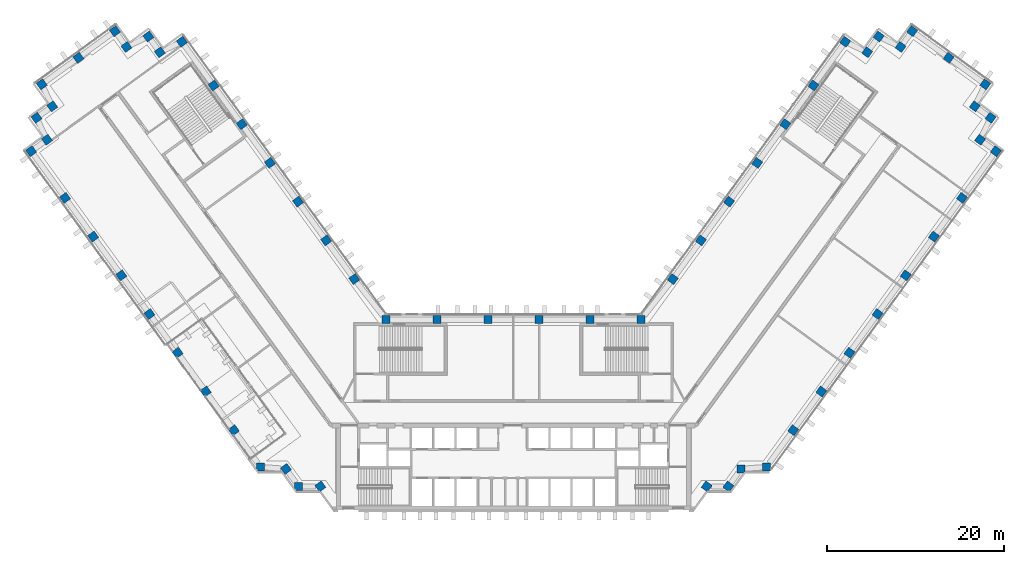
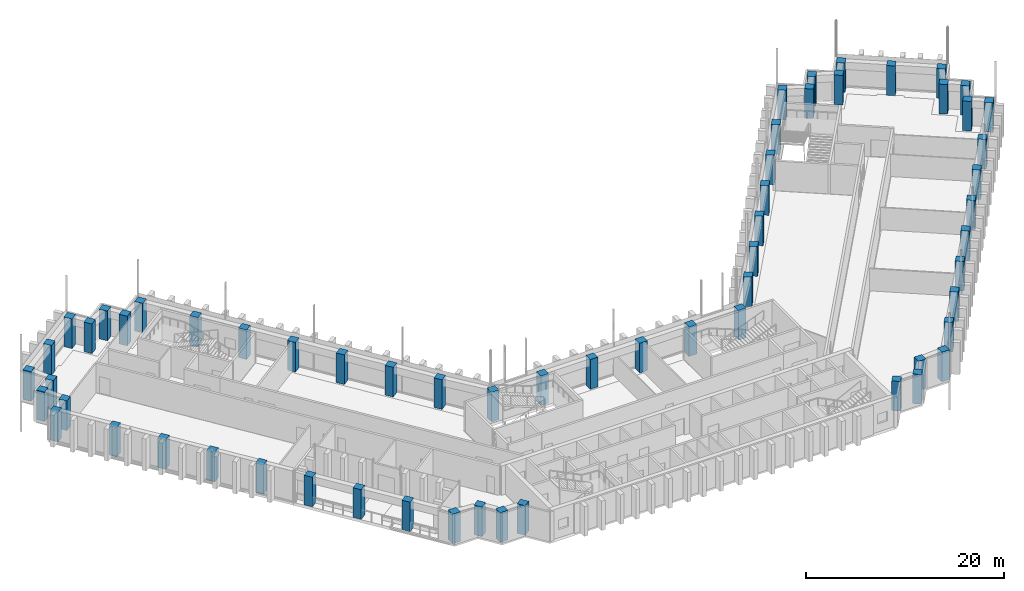
# One storey, part 1 of 18: 62 columns.
"""IFC4 building model written with IfcOpenShell, lengths in metres."""

from ifc_helpers import new_model, si_unit, direction, frame, origin, origin_2d, place, context, subcontext, project, spatial, rectangle, extrude, material, material_profile, profile_set, type_object, element, save


model = new_model("IFC4")

# Units and contexts
model_context = context("Model", 3, precision=1e-05, world=origin(), true_north=direction((0.0, 1.0)))
body_context = subcontext(model_context, "Body", "Model", "MODEL_VIEW")
ifc_project = project(units=[si_unit("LENGTHUNIT", "METRE"), si_unit("AREAUNIT", "SQUARE_METRE"), si_unit("VOLUMEUNIT", "CUBIC_METRE"), si_unit("PLANEANGLEUNIT", "RADIAN"), si_unit("MASSUNIT", "GRAM", prefix="KILO")], contexts=[model_context])

# Site, building, storey
site_placement = place(None, origin())
site = spatial("IfcSite", under=ifc_project, at=site_placement, CompositionType="ELEMENT")
building_placement = place(site_placement, origin())
building = spatial("IfcBuilding", under=site, at=building_placement, Name="Quipu Civic Tower", CompositionType="ELEMENT")
storey_placement = place(building_placement, frame((0.0, 0.0, 59.0)))
storey = spatial("IfcBuildingStorey", under=building, at=storey_placement, Name="L13", CompositionType="ELEMENT", Elevation=59.0)

# Columns
ifc_material = material(Name="Concrete C70/85", Category="concrete")
ifc_material_profile = material_profile(ifc_material, rectangle(XDim=0.89990234375, YDim=0.89990234375, at=origin_2d()), Name="RC900x900")
ifc_profile_set = profile_set([ifc_material_profile], Name="Concrete C70/85")
column_type = type_object("IfcColumnType", Name="Perimeter column RC 900x900 C70/85", PredefinedType="COLUMN", material=ifc_profile_set)
for number, where, z_axis, x_axis, name in (
    (1, (-17.9736328125, 15.074951171875, 0.0), (0.0, 0.0, 1.0), (-0.587785252292, 0.809016994375, 0.0), "Column L13 W-IN-01"),
    (2, (-21.1474609375, 19.44384765625, 0.0), (0.0, 0.0, 1.0), (-0.587785252292, 0.809016994375, 0.0), "Column L13 W-IN-02"),
    (3, (-24.3212890625, 23.8125, 0.0), (0.0, 0.0, 1.0), (-0.587785252292, 0.809016994375, 0.0), "Column L13 W-IN-03"),
    (4, (-27.4951171875, 28.181396484375, 0.0), (0.0, 0.0, 1.0), (-0.587785252292, 0.809016994375, 0.0), "Column L13 W-IN-04"),
    (5, (-30.6689453125, 32.55029296875, 0.0), (0.0, 0.0, 1.0), (-0.587785252292, 0.809016994375, 0.0), "Column L13 W-IN-05"),
    (6, (-33.843017578125, 36.919189453125, 0.0), (0.0, 0.0, 1.0), (-0.587785252292, 0.809016994375, 0.0), "Column L13 W-IN-06"),
    (7, (-37.425048828125, 41.85009765625, 0.0), (0.0, 0.0, 1.0), (-0.587785252292, 0.809016994375, 0.0), "Column L13 T-Wi.0-W50"),
    (8, (-39.905517578125, 40.666015625, 0.0), (0.0, 0.0, 1.0), (-0.587785252292, 0.809016994375, 0.0), "Column L13 T-Wi.1-W50"),
    (9, (-41.199951171875, 42.445068359375, 0.0), (0.0, 0.0, 1.0), (-0.587785252292, 0.809016994375, 0.0), "Column L13 T-Wi.2-W50"),
    (10, (-43.674560546875, 41.264892578125, 0.0), (0.0, 0.0, 1.0), (-0.809016994375, -0.587785252292, 0.0), "Column L13 T-Wi.3-W50"),
    (11, (-44.969970703125, 43.044921875, 0.0), (0.0, 0.0, 1.0), (-0.809016994375, -0.587785252292, 0.0), "Column L13 T-Wi.4-W50"),
    (12, (-49.095703125, 40.046875, 0.0), (0.0, 0.0, 1.0), (-0.809016994375, -0.587785252292, 0.0), "Column L13 TIP-W-01-W50"),
    (13, (-53.219970703125, 37.050048828125, 0.0), (0.0, 0.0, 1.0), (0.587785252292, -0.809016994375, 0.0), "Column L13 T-Wo.0-W50"),
    (14, (-52.038818359375, 34.571044921875, 0.0), (0.0, 0.0, 1.0), (-0.809016994375, -0.587785252292, 0.0), "Column L13 T-Wo.1-W50"),
    (15, (-53.820068359375, 33.27490234375, 0.0), (0.0, 0.0, 1.0), (0.587785252292, -0.809016994375, 0.0), "Column L13 T-Wo.2-W50"),
    (16, (-52.635986328125, 30.799560546875, 0.0), (0.0, 0.0, 1.0), (-0.809016994375, -0.587785252292, 0.0), "Column L13 T-Wo.3-W50"),
    (17, (-54.4150390625, 29.5048828125, 0.0), (0.0, 0.0, 1.0), (0.587785252292, -0.809016994375, 0.0), "Column L13 T-Wo.4-W50"),
    (18, (-50.59228515625, 24.243408203125, 0.0), (0.0, 0.0, 1.0), (0.587785252292, -0.809016994375, 0.0), "Column L13 W-OUT-07"),
    (19, (-47.41845703125, 19.874755859375, 0.0), (0.0, 0.0, 1.0), (0.587785252292, -0.809016994375, 0.0), "Column L13 W-OUT-06"),
    (20, (-44.244384765625, 15.506103515625, 0.0), (0.0, 0.0, 1.0), (0.587785252292, -0.809016994375, 0.0), "Column L13 W-OUT-05"),
    (21, (-41.0703125, 11.137451171875, 0.0), (0.0, 0.0, 1.0), (0.587785252292, -0.809016994375, 0.0), "Column L13 W-OUT-04"),
    (22, (-37.896240234375, 6.768798828125, 0.0), (0.0, 0.0, 1.0), (0.587785252292, -0.809016994375, 0.0), "Column L13 W-OUT-03"),
    (23, (-34.722412109375, 2.39990234375, 0.0), (0.0, 0.0, 1.0), (0.587785252292, -0.809016994375, 0.0), "Column L13 W-OUT-02"),
    (24, (-31.54833984375, -1.96875, 0.0), (0.0, 0.0, 1.0), (0.587785252292, -0.809016994375, 0.0), "Column L13 W-OUT-01"),
    (25, (-28.52490234375, -6.1298828125, 0.0), (0.0, 0.0, 1.0), (1.0, 0.0, 0.0), "Column L13 J-Wo.0"),
    (26, (-25.67431640625, -6.3369140625, 0.0), (0.0, 0.0, 1.0), (0.587785252292, -0.809016994375, 0.0), "Column L13 J-Wo.1"),
    (27, (-24.235107421875, -8.31494140625, 0.0), (0.0, 0.0, 1.0), (1.0, 0.0, 0.0), "Column L13 J-Wo.2"),
    (28, (-21.791748046875, -8.31494140625, 0.0), (0.0, 0.0, 1.0), (0.587785252292, -0.809016994375, 0.0), "Column L13 J-Wo.3"),
    (29, (21.791748046875, -8.31494140625, 0.0), (0.0, 0.0, 1.0), (0.587785252292, 0.809016994375, 0.0), "Column L13 J-Eo.1"),
    (30, (24.235107421875, -8.31494140625, 0.0), (0.0, 0.0, 1.0), (0.587785252292, 0.809016994375, 0.0), "Column L13 J-Eo.2"),
    (31, (25.67431640625, -6.3369140625, 0.0), (0.0, 0.0, 1.0), (1.0, 0.0, 0.0), "Column L13 J-Eo.3"),
    (32, (28.52490234375, -6.1298828125, 0.0), (0.0, 0.0, 1.0), (1.0, 0.0, 0.0), "Column L13 J-Eo.4"),
    (33, (31.54833984375, -1.96875, 0.0), (0.0, 0.0, 1.0), (0.587785252292, 0.809016994375, 0.0), "Column L13 E-OUT-01"),
    (34, (34.722412109375, 2.39990234375, 0.0), (0.0, 0.0, 1.0), (0.587785252292, 0.809016994375, 0.0), "Column L13 E-OUT-02"),
    (35, (37.896240234375, 6.768798828125, 0.0), (0.0, 0.0, 1.0), (0.587785252292, 0.809016994375, 0.0), "Column L13 E-OUT-03"),
    (36, (41.0703125, 11.137451171875, 0.0), (0.0, 0.0, 1.0), (0.587785252292, 0.809016994375, 0.0), "Column L13 E-OUT-04"),
    (37, (44.244384765625, 15.506103515625, 0.0), (0.0, 0.0, 1.0), (0.587785252292, 0.809016994375, 0.0), "Column L13 E-OUT-05"),
    (38, (47.41845703125, 19.874755859375, 0.0), (0.0, 0.0, 1.0), (0.587785252292, 0.809016994375, 0.0), "Column L13 E-OUT-06"),
    (39, (50.59228515625, 24.243408203125, 0.0), (0.0, 0.0, 1.0), (0.587785252292, 0.809016994375, 0.0), "Column L13 E-OUT-07"),
    (40, (54.4150390625, 29.5048828125, 0.0), (0.0, 0.0, 1.0), (0.587785252292, 0.809016994375, 0.0), "Column L13 T-Eo.0-E50"),
    (41, (52.635986328125, 30.799560546875, 0.0), (0.0, 0.0, 1.0), (-0.809016994375, 0.587785252292, 0.0), "Column L13 T-Eo.1-E50"),
    (42, (53.820068359375, 33.27490234375, 0.0), (0.0, 0.0, 1.0), (-0.809016994375, 0.587785252292, 0.0), "Column L13 T-Eo.2-E50"),
    (43, (52.038818359375, 34.571044921875, 0.0), (0.0, 0.0, 1.0), (0.587785252292, 0.809016994375, 0.0), "Column L13 T-Eo.3-E50"),
    (44, (53.219970703125, 37.050048828125, 0.0), (0.0, 0.0, 1.0), (-0.809016994375, 0.587785252292, 0.0), "Column L13 T-Eo.4-E50"),
    (45, (49.095703125, 40.046875, 0.0), (0.0, 0.0, 1.0), (-0.809016994375, 0.587785252292, 0.0), "Column L13 TIP-E-01-E50"),
    (46, (44.969970703125, 43.044921875, 0.0), (0.0, 0.0, 1.0), (-0.809016994375, 0.587785252292, 0.0), "Column L13 T-Ei.0-E50"),
    (47, (43.674560546875, 41.264892578125, 0.0), (0.0, 0.0, 1.0), (-0.809016994375, 0.587785252292, 0.0), "Column L13 T-Ei.1-E50"),
    (48, (41.199951171875, 42.445068359375, 0.0), (0.0, 0.0, 1.0), (-0.587785252292, -0.809016994375, 0.0), "Column L13 T-Ei.2-E50"),
    (49, (39.905517578125, 40.666015625, 0.0), (0.0, 0.0, 1.0), (-0.587785252292, -0.809016994375, 0.0), "Column L13 T-Ei.3-E50"),
    (50, (37.425048828125, 41.85009765625, 0.0), (0.0, 0.0, 1.0), (-0.587785252292, -0.809016994375, 0.0), "Column L13 T-Ei.4-E50"),
    (51, (33.843017578125, 36.919189453125, 0.0), (0.0, 0.0, 1.0), (-0.587785252292, -0.809016994375, 0.0), "Column L13 E-IN-06"),
    (52, (30.6689453125, 32.55029296875, 0.0), (0.0, 0.0, 1.0), (-0.587785252292, -0.809016994375, 0.0), "Column L13 E-IN-05"),
    (53, (27.4951171875, 28.181396484375, 0.0), (0.0, 0.0, 1.0), (-0.587785252292, -0.809016994375, 0.0), "Column L13 E-IN-04"),
    (54, (24.3212890625, 23.8125, 0.0), (0.0, 0.0, 1.0), (-0.587785252292, -0.809016994375, 0.0), "Column L13 E-IN-03"),
    (55, (21.1474609375, 19.44384765625, 0.0), (0.0, 0.0, 1.0), (-0.587785252292, -0.809016994375, 0.0), "Column L13 E-IN-02"),
    (56, (17.9736328125, 15.074951171875, 0.0), (0.0, 0.0, 1.0), (-0.587785252292, -0.809016994375, 0.0), "Column L13 E-IN-01"),
    (57, (14.395263671875, 10.5, 0.0), (0.0, 0.0, 1.0), (-1.0, 0.0, 0.0), "Column L13 J-Ei.0"),
    (58, (8.63720703125, 10.5, 0.0), (0.0, 0.0, 1.0), (-1.0, 0.0, 0.0), "Column L13 FRONT-01"),
    (59, (2.87890625, 10.5, 0.0), (0.0, 0.0, 1.0), (-1.0, 0.0, 0.0), "Column L13 FRONT-02"),
    (60, (-2.87890625, 10.5, 0.0), (0.0, 0.0, 1.0), (-1.0, 0.0, 0.0), "Column L13 FRONT-03"),
    (61, (-8.63720703125, 10.5, 0.0), (0.0, 0.0, 1.0), (-1.0, 0.0, 0.0), "Column L13 FRONT-04"),
    (62, (-14.395263671875, 10.5, 0.0), (0.0, 0.0, 1.0), (-1.0, 0.0, 0.0), "Column L13 J-Wi.0"),
):
    element("IfcColumn", number, at=place(storey_placement, frame(where, z_axis=z_axis, x_axis=x_axis)), inside=storey, type_object=column_type, Name=name, PredefinedType="COLUMN", context=body_context, shape_type="SweptSolid", body=[
        extrude(rectangle(XDim=0.89990234375, YDim=0.89990234375, at=origin_2d()), origin(), (0.0, 0.0, 1.0), 3.64990234375),
    ])

save(model, "model.ifc")
